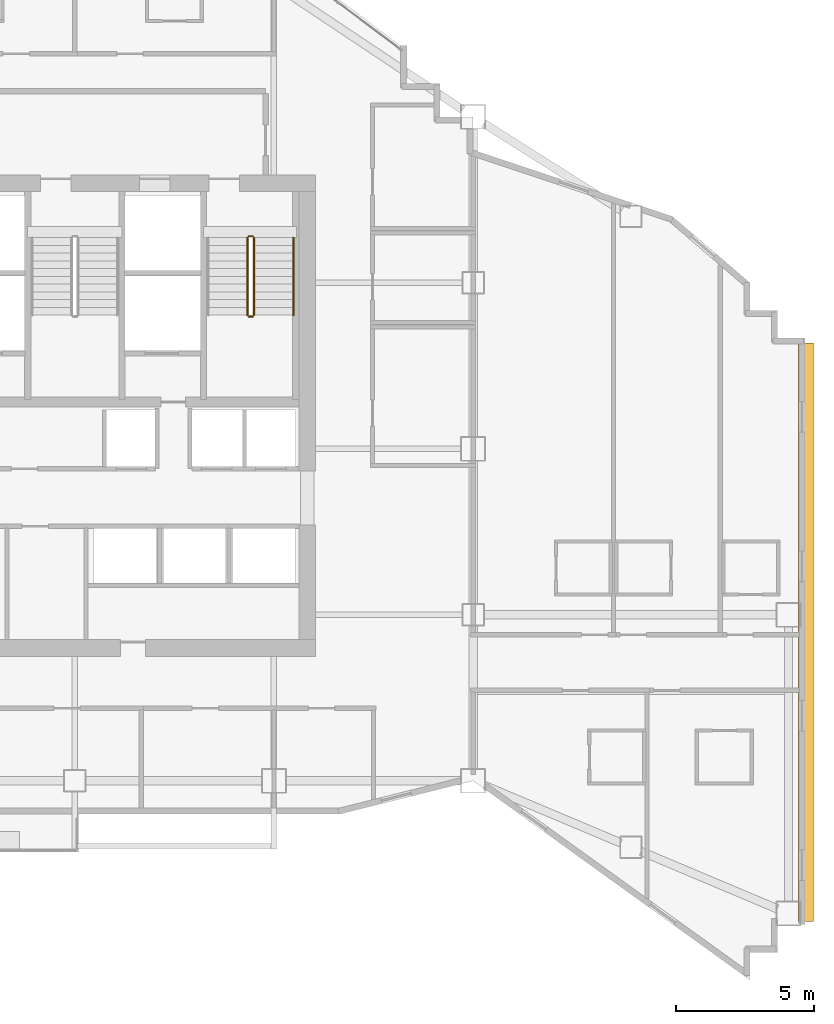
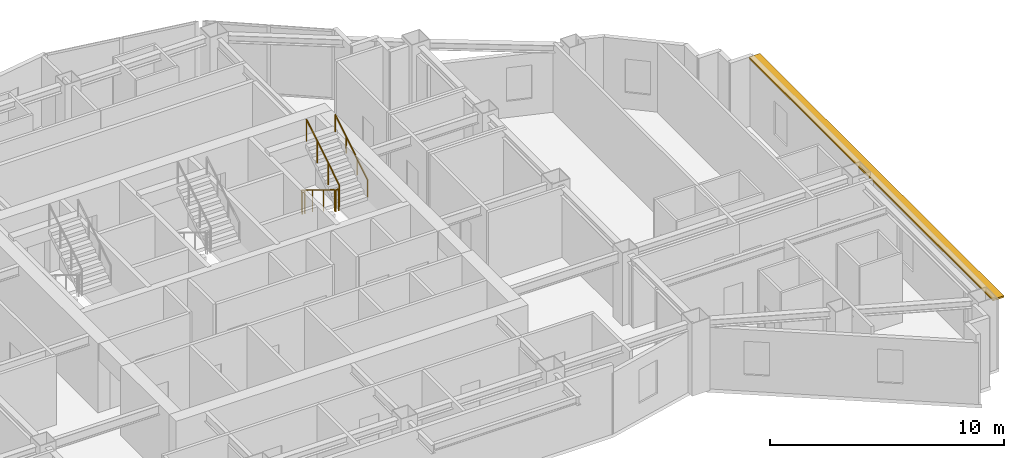
# One storey, part 13 of 13: 5 railings, 1 shading device.
"""IFC4 building model written with IfcOpenShell, lengths in metres."""

import ifcopenshell
import ifcopenshell.guid

model = None  # the IFC model being written
_history = None  # IfcOwnerHistory: only IFC2X3 demands one
_inside = {}  # id of a spatial element -> (the spatial element, [elements in it])
_under = {}  # id of a project, library or spatial element -> (it, [spatial elements below it])
_declared = {}  # id of a project -> (the project, [libraries it declares])
_typed = {}  # id of a type object -> (the type object, [elements of that type])
_made_of = {}  # id of a material, layer set ... -> (it, [elements and type objects made of it])


def new_model(schema):
    """Start an empty IFC model of exactly this schema.

    Asked for "IFC4X3", IfcOpenShell would pick the latest addendum, in which some entities
    have other attributes; the version numbers below select the first issue.
    IFC2X3 requires an IfcOwnerHistory on every rooted entity: one is made here for all.
    """
    global model, _history
    if schema == "IFC4X3":
        model = ifcopenshell.file(schema_version=(4, 3, 0, 0))
    else:
        model = ifcopenshell.file(schema=schema)
    _inside.clear()
    _under.clear()
    _declared.clear()
    _typed.clear()
    _made_of.clear()
    _history = None
    if model.schema == "IFC2X3":
        org = make("IfcOrganization", Name="unknown")
        user = make(
            "IfcPersonAndOrganization",
            ThePerson=make("IfcPerson", FamilyName="unknown"),
            TheOrganization=org,
        )
        app = make(
            "IfcApplication",
            ApplicationDeveloper=org,
            Version="unknown",
            ApplicationFullName="unknown",
            ApplicationIdentifier="unknown",
        )
        _history = make(
            "IfcOwnerHistory",
            OwningUser=user,
            OwningApplication=app,
            ChangeAction="ADDED",
            CreationDate=0,
        )
    return model


def make(cls, **values):
    """One entity of the class cls with the attributes given. An attribute that is None is left unset."""
    return model.create_entity(
        cls, **{name: value for name, value in values.items() if value is not None}
    )


def rooted(cls, **values):
    """An entity with a GlobalId (a new one), such as an element, a storey or a relation."""
    return make(cls, GlobalId=ifcopenshell.guid.new(), OwnerHistory=_history, **values)


def si_unit(unit_type, name, prefix=None):
    """IfcSIUnit, for example si_unit("LENGTHUNIT", "METRE", prefix="MILLI")."""
    return make("IfcSIUnit", UnitType=unit_type, Prefix=prefix, Name=name)


def assignment(units):
    """IfcUnitAssignment: the units of a project."""
    return None if units is None else make("IfcUnitAssignment", Units=units)


def point(xyz):
    """IfcCartesianPoint."""
    return None if xyz is None else make("IfcCartesianPoint", Coordinates=xyz)


def direction(xyz):
    """IfcDirection."""
    return None if xyz is None else make("IfcDirection", DirectionRatios=xyz)


def frame(location, z_axis=None, x_axis=None):
    """IfcAxis2Placement3D, a coordinate frame: its origin and axes. An axis left out is left unset."""
    return make(
        "IfcAxis2Placement3D",
        Location=point(location),
        Axis=direction(z_axis),
        RefDirection=direction(x_axis),
    )


def frame_2d(location, x_axis=None):
    """IfcAxis2Placement2D, a coordinate frame in the plane: its origin and x axis."""
    return make(
        "IfcAxis2Placement2D", Location=point(location), RefDirection=direction(x_axis)
    )


def origin():
    """The frame at (0, 0, 0) with its axes left unset."""
    return frame((0.0, 0.0, 0.0))


def origin_2d():
    """The frame at (0, 0) in the plane with its x axis left unset."""
    return frame_2d((0.0, 0.0))


def place(relative_to, where):
    """IfcLocalPlacement: puts the frame where relative to a parent placement (None: the world)."""
    return make(
        "IfcLocalPlacement", PlacementRelTo=relative_to, RelativePlacement=where
    )


def context(
    kind, dimensions, precision=None, world=None, true_north=None, identifier=None
):
    """IfcGeometricRepresentationContext, for example the 3D "Model" context."""
    return make(
        "IfcGeometricRepresentationContext",
        ContextIdentifier=identifier,
        ContextType=kind,
        CoordinateSpaceDimension=dimensions,
        Precision=precision,
        WorldCoordinateSystem=world,
        TrueNorth=true_north,
    )


def subcontext(parent, identifier, kind, view, scale=None):
    """IfcGeometricRepresentationSubContext, for example "Body" below "Model"."""
    return make(
        "IfcGeometricRepresentationSubContext",
        ContextIdentifier=identifier,
        ContextType=kind,
        ParentContext=parent,
        TargetScale=scale,
        TargetView=view,
    )


def project(units=None, contexts=None):
    """IfcProject with its units and contexts."""
    return rooted(
        "IfcProject",
        Name="project",
        RepresentationContexts=contexts,
        UnitsInContext=assignment(units),
    )


def spatial(cls, under=None, at=None, **own):
    """A site, building, storey or space (cls), placed at a placement, below another one or the project."""
    s = rooted(cls, ObjectPlacement=at, **own)
    if under is not None:
        _under.setdefault(under.id(), (under, []))[1].append(s)
    return s


def profile(cls, at=None, kind="AREA", **sizes):
    """A parametric profile (cls). Its sizes go by their IFC names, for example OverallWidth=200.0."""
    return make(cls, ProfileType=kind, Position=at, **sizes)


def rectangle(**sizes):
    """IfcRectangleProfileDef."""
    return profile("IfcRectangleProfileDef", **sizes)


def circle(**sizes):
    """IfcCircleProfileDef."""
    return profile("IfcCircleProfileDef", **sizes)


def extrude(swept, where, along, depth):
    """IfcExtrudedAreaSolid: the profile swept, set in the frame where, extruded along a direction by depth."""
    return make(
        "IfcExtrudedAreaSolid",
        SweptArea=swept,
        Position=where,
        ExtrudedDirection=direction(along),
        Depth=depth,
    )


def shape(context_of_items, identifier, shape_type, items):
    """IfcShapeRepresentation: the items that make up one representation, for example the "Body"."""
    return make(
        "IfcShapeRepresentation",
        ContextOfItems=context_of_items,
        RepresentationIdentifier=identifier,
        RepresentationType=shape_type,
        Items=items,
    )


def material(Name=None, Category=None):
    """IfcMaterial."""
    return make("IfcMaterial", Name=Name, Category=Category)


def layer(
    of_material, thickness, ventilated=None, Name=None, Category=None, Priority=None
):
    """IfcMaterialLayer: one layer of a wall or slab, of a material (None: an air gap)."""
    return make(
        "IfcMaterialLayer",
        Material=of_material,
        LayerThickness=thickness,
        IsVentilated=ventilated,
        Name=Name,
        Category=Category,
        Priority=Priority,
    )


def layer_set(layers, Name=None):
    """IfcMaterialLayerSet."""
    return make("IfcMaterialLayerSet", MaterialLayers=layers, LayerSetName=Name)


def made_of(thing, what):
    """Note that an element or type object is made of a material, layer set ...; save() writes the relation."""
    if what is not None:
        _made_of.setdefault(what.id(), (what, []))[1].append(thing)
    return thing


def type_object(cls, material=None, **own):
    """A type object (cls), such as IfcWallType, which elements share."""
    return made_of(rooted(cls, **own), material)


def element(
    cls,
    number,
    at=None,
    inside=None,
    cuts=None,
    type_object=None,
    material=None,
    context=None,
    identifier="Body",
    shape_type=None,
    held_by="IfcProductDefinitionShape",
    body=None,
    shapes=None,
    **own,
):
    """One element of the class cls, such as IfcWall. Its Tag is "e" and its number.

    at: its placement. inside: the storey or other place that contains it. cuts: it is an
    opening in that element (IfcRelVoidsElement). A single representation is given by context,
    identifier, shape_type and body (its items); several are given by shapes. held_by: the class
    of the entity that holds the representations. save() writes the other relations.
    """
    e = rooted(cls, Tag="e%d" % number, ObjectPlacement=at, **own)
    if body is not None:
        shapes = [shape(context, identifier, shape_type, body)]
    if shapes is not None:
        e.Representation = make(held_by, Representations=shapes)
    if inside is not None:
        _inside.setdefault(inside.id(), (inside, []))[1].append(e)
    if cuts is not None:
        rooted(
            "IfcRelVoidsElement", RelatingBuildingElement=cuts, RelatedOpeningElement=e
        )
    if type_object is not None:
        _typed.setdefault(type_object.id(), (type_object, []))[1].append(e)
    return made_of(e, material)


def aggregate(whole, parts):
    """IfcRelAggregates: a whole, such as a stair, and the parts it consists of."""
    return rooted("IfcRelAggregates", RelatingObject=whole, RelatedObjects=parts)


def save(model, path):
    """Write the relations noted so far, then the file.

    IfcRelAggregates (storeys below a building ...), IfcRelContainedInSpatialStructure (elements
    in a storey), IfcRelDefinesByType, IfcRelAssociatesMaterial and IfcRelDeclares: one each for
    every whole, place, type object, material and project.
    """
    for whole, parts in _under.values():
        aggregate(whole, parts)
    for where, things in _inside.values():
        rooted(
            "IfcRelContainedInSpatialStructure",
            RelatedElements=things,
            RelatingStructure=where,
        )
    for kind, things in _typed.values():
        rooted("IfcRelDefinesByType", RelatedObjects=things, RelatingType=kind)
    for what, things in _made_of.values():
        rooted("IfcRelAssociatesMaterial", RelatedObjects=things, RelatingMaterial=what)
    for by, libraries in _declared.values():
        rooted("IfcRelDeclares", RelatingContext=by, RelatedDefinitions=libraries)
    model.write(path)


model = new_model("IFC4")

# Units and contexts
model_context = context("Model", 3, precision=1e-05, world=origin(), true_north=direction((0.0, 1.0)))
body_context = subcontext(model_context, "Body", "Model", "MODEL_VIEW")
ifc_project = project(units=[si_unit("LENGTHUNIT", "METRE"), si_unit("AREAUNIT", "SQUARE_METRE"), si_unit("VOLUMEUNIT", "CUBIC_METRE"), si_unit("PLANEANGLEUNIT", "RADIAN"), si_unit("MASSUNIT", "GRAM", prefix="KILO")], contexts=[model_context])

# Site, building, storey
site_placement = place(None, origin())
site = spatial("IfcSite", under=ifc_project, at=site_placement, CompositionType="ELEMENT")
building_placement = place(site_placement, origin())
building = spatial("IfcBuilding", under=site, at=building_placement, Name="Haolan Belvedere Tower", CompositionType="ELEMENT")
storey_placement = place(building_placement, frame((0.0, 0.0, 219.199951171875)))
storey = spatial("IfcBuildingStorey", under=building, at=storey_placement, Name="L55", CompositionType="ELEMENT", Elevation=219.199951171875)

# Railings
ifc_material_1 = material(Name="Brushed stainless steel 304", Category="steel")
railing_type_1 = type_object("IfcRailingType", Name="RL-STAIR-GRD-1150", PredefinedType="GUARDRAIL", material=ifc_material_1)
railing_1_placement = place(storey_placement, frame((44.639892578125, 41.22998046875, 0.1728515625)))
element("IfcRailing", 1, at=railing_1_placement, inside=storey, type_object=railing_type_1, Name="L55 ST2 stair guard 1", PredefinedType="GUARDRAIL", context=body_context, shape_type="SweptSolid", body=[
    extrude(circle(Radius=0.02392578125, at=origin_2d()), frame((0.0, 0.0, 1.1259765625), z_axis=(0.0, -0.851089632645, 0.525020415988), x_axis=(1.0, 0.0, 0.0)), (0.0, 0.0, 1.0), 3.2900390625),
    extrude(circle(Radius=0.02099609375, at=origin_2d()), origin(), (0.0, 0.0, 1.0), 1.101806640625),
    extrude(circle(Radius=0.02099609375, at=origin_2d()), frame((0.0, -0.933349609375, 0.57568359375)), (0.0, 0.0, 1.0), 1.101806640625),
    extrude(circle(Radius=0.02099609375, at=origin_2d()), frame((0.0, -1.86669921875, 1.151611328125)), (0.0, 0.0, 1.0), 1.101806640625),
    extrude(circle(Radius=0.02099609375, at=origin_2d()), frame((0.0, -2.800048828125, 1.727294921875)), (0.0, 0.0, 1.0), 1.101806640625),
])
railing_2_placement = place(storey_placement, frame((44.68994140625, 38.3798828125, 1.900146484375)))
element("IfcRailing", 2, at=railing_2_placement, inside=storey, type_object=railing_type_1, Name="L55 ST2 stair guard 2", PredefinedType="GUARDRAIL", context=body_context, shape_type="SweptSolid", body=[
    extrude(circle(Radius=0.02392578125, at=origin_2d()), frame((0.0, 0.0, 1.1259765625), z_axis=(1.0, 0.0, 0.0), x_axis=(0.0, 1.0, 0.0)), (0.0, 0.0, 1.0), 0.14013671875),
    extrude(circle(Radius=0.02099609375, at=origin_2d()), origin(), (0.0, 0.0, 1.0), 1.101806640625),
    extrude(circle(Radius=0.02099609375, at=origin_2d()), frame((0.14013671875, 0.0, 0.0)), (0.0, 0.0, 1.0), 1.101806640625),
])
railing_3_placement = place(storey_placement, frame((44.8798828125, 38.429931640625, 2.07275390625)))
element("IfcRailing", 3, at=railing_3_placement, inside=storey, type_object=railing_type_1, Name="L55 ST2 stair guard 3", PredefinedType="GUARDRAIL", context=body_context, shape_type="SweptSolid", body=[
    extrude(circle(Radius=0.02392578125, at=origin_2d()), frame((0.0, 0.0, 1.1259765625), z_axis=(0.0, 0.851089632645, 0.525020415988), x_axis=(-1.0, 0.0, 0.0)), (0.0, 0.0, 1.0), 3.2900390625),
    extrude(circle(Radius=0.02099609375, at=origin_2d()), origin(), (0.0, 0.0, 1.0), 1.101806640625),
    extrude(circle(Radius=0.02099609375, at=origin_2d()), frame((0.0, 0.933349609375, 0.57568359375)), (0.0, 0.0, 1.0), 1.101806640625),
    extrude(circle(Radius=0.02099609375, at=origin_2d()), frame((0.0, 1.86669921875, 1.151611328125)), (0.0, 0.0, 1.0), 1.101806640625),
    extrude(circle(Radius=0.02099609375, at=origin_2d()), frame((0.0, 2.800048828125, 1.727294921875)), (0.0, 0.0, 1.0), 1.101806640625),
])
railing_4_placement = place(storey_placement, frame((44.68994140625, 41.280029296875, 0.0)))
element("IfcRailing", 4, at=railing_4_placement, inside=storey, type_object=railing_type_1, Name="L55 ST2 stair guard 4", PredefinedType="GUARDRAIL", context=body_context, shape_type="SweptSolid", body=[
    extrude(circle(Radius=0.02392578125, at=origin_2d()), frame((0.0, 0.0, 1.1259765625), z_axis=(1.0, 0.0, 0.0), x_axis=(0.0, 1.0, 0.0)), (0.0, 0.0, 1.0), 0.14013671875),
    extrude(circle(Radius=0.02099609375, at=origin_2d()), origin(), (0.0, 0.0, 1.0), 1.101806640625),
    extrude(circle(Radius=0.02099609375, at=origin_2d()), frame((0.14013671875, 0.0, 0.0)), (0.0, 0.0, 1.0), 1.101806640625),
])
railing_type_2 = type_object("IfcRailingType", Name="RL-STAIR-HND-900", PredefinedType="HANDRAIL", material=ifc_material_1)
railing_5_placement = place(storey_placement, frame((46.300048828125, 38.429931640625, 2.07275390625)))
element("IfcRailing", 5, at=railing_5_placement, inside=storey, type_object=railing_type_2, Name="L55 ST2 stair handrail 2", PredefinedType="HANDRAIL", context=body_context, shape_type="SweptSolid", body=[
    extrude(circle(Radius=0.02392578125, at=origin_2d()), frame((0.0, 0.0, 0.8759765625), z_axis=(0.0, 0.851089632645, 0.525020415988), x_axis=(-1.0, 0.0, 0.0)), (0.0, 0.0, 1.0), 3.2900390625),
    extrude(circle(Radius=0.02099609375, at=origin_2d()), origin(), (0.0, 0.0, 1.0), 0.851806640625),
    extrude(circle(Radius=0.02099609375, at=origin_2d()), frame((0.0, 0.933349609375, 0.57568359375)), (0.0, 0.0, 1.0), 0.851806640625),
    extrude(circle(Radius=0.02099609375, at=origin_2d()), frame((0.0, 1.86669921875, 1.151611328125)), (0.0, 0.0, 1.0), 0.851806640625),
    extrude(circle(Radius=0.02099609375, at=origin_2d()), frame((0.0, 2.800048828125, 1.727294921875)), (0.0, 0.0, 1.0), 0.851806640625),
])

# Shading device
ifc_material_2 = material(Name="Anodised champagne-silver aluminium 6063-T6", Category="aluminium")
ifc_layer = layer(ifc_material_2, 0.080078125, Name="Anodised champagne-silver aluminium 6063-T6")
ifc_layer_set = layer_set([ifc_layer], Name="Anodised champagne-silver aluminium 6063-T6")
shading_device_type = type_object("IfcShadingDeviceType", Name="SHD-SUN-550", PredefinedType="USERDEFINED", material=ifc_layer_set)
shading_device_placement = place(storey_placement, frame((64.830078125, 26.972412109375, 3.52001953125), z_axis=(0.0, 0.0, 1.0), x_axis=(0.0, 1.0, 0.0)))
element("IfcShadingDevice", 6, at=shading_device_placement, inside=storey, type_object=shading_device_type, Name="L55 pale-metal horizontal SUNSHADE band 8.1", ObjectType="SUNSHADE", PredefinedType="USERDEFINED", context=body_context, shape_type="SweptSolid", body=[
    extrude(rectangle(XDim=20.905029296875, YDim=0.550048828125, at=origin_2d()), origin(), (0.0, 0.0, 1.0), 0.080078125),
])

save(model, "model.ifc")
